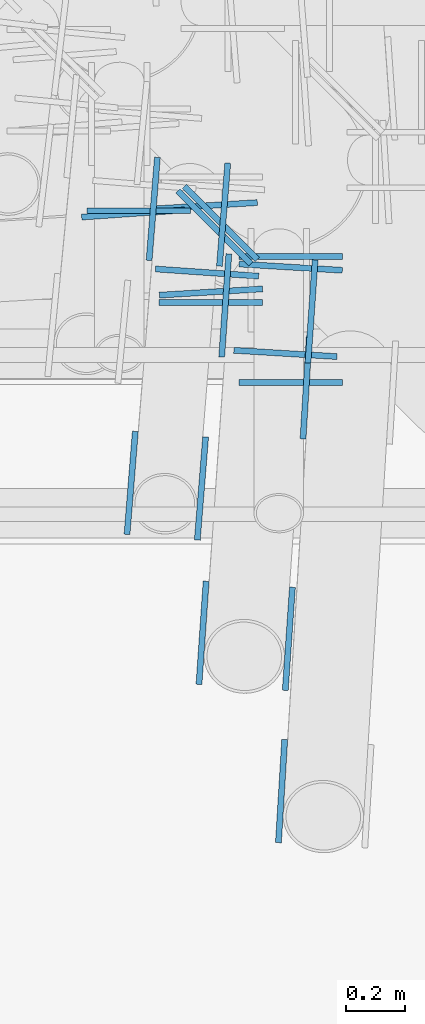
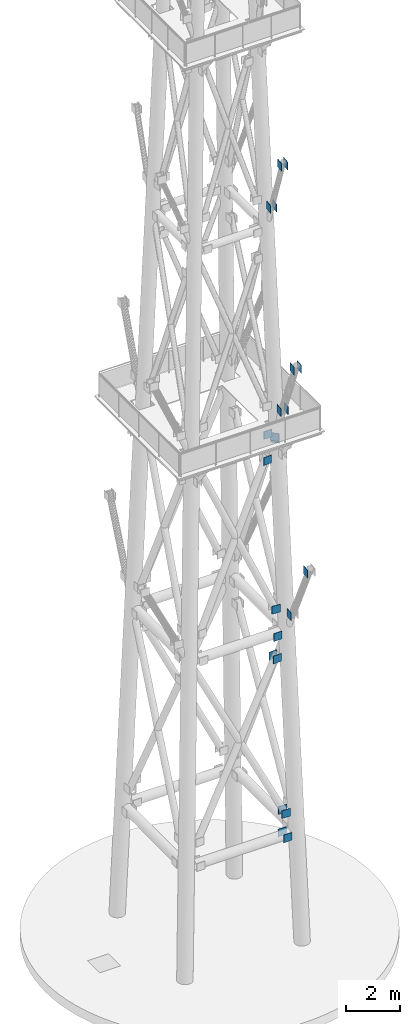
# One storey, part 8 of 25: 22 discrete accessories.
"""IFC4 building model written with IfcOpenShell, lengths in metres."""

from ifc_helpers import new_model, si_unit, direction, frame, origin, origin_2d, place, context, subcontext, project, spatial, rectangle, extrude, element, save


model = new_model("IFC4")

# Units and contexts
model_context = context("Model", 3, precision=1e-05, world=origin(), true_north=direction((0.0, 1.0)))
body_context = subcontext(model_context, "Body", "Model", "MODEL_VIEW")
ifc_project = project(units=[si_unit("LENGTHUNIT", "METRE"), si_unit("AREAUNIT", "SQUARE_METRE"), si_unit("VOLUMEUNIT", "CUBIC_METRE"), si_unit("PLANEANGLEUNIT", "RADIAN"), si_unit("MASSUNIT", "GRAM", prefix="KILO")], contexts=[model_context])

# Site, building, storey
site_placement = place(None, origin())
site = spatial("IfcSite", under=ifc_project, at=site_placement, CompositionType="ELEMENT")
building_placement = place(site_placement, origin())
building = spatial("IfcBuilding", under=site, at=building_placement, Name="Vidyagriha Tower", CompositionType="ELEMENT")
storey_placement = place(building_placement, frame((0.0, 0.0, 318.39990234375)))
storey = spatial("IfcBuildingStorey", under=building, at=storey_placement, Name="RF", CompositionType="ELEMENT", Elevation=318.39990234375)

# Discrete accessories
for number, where, z_axis, x_axis, name in (
    (1, (1.592529296875, 10.9619140625, 22.650146484375), (0.0, 0.0, 1.0), (-0.707106781187, 0.707106781187, 0.0), "End plate ASTM A572 Grade 50 20mm"),
    (2, (1.613525390625, 10.97705078125, 22.5498046875), (0.0, 0.0, 1.0), (-0.707106781187, 0.707106781187, 0.0), "End plate ASTM A572 Grade 50 20mm"),
):
    element("IfcDiscreteAccessory", number, at=place(storey_placement, frame(where, z_axis=z_axis, x_axis=x_axis)), inside=storey, Name=name, ObjectType="END PLATE", PredefinedType="USERDEFINED", context=body_context, shape_type="SweptSolid", body=[
        extrude(rectangle(XDim=0.35009765625, YDim=0.02001953125, at=origin_2d()), origin(), (0.0, 0.0, 1.0), 0.35009765625),
    ])
for number, where, name in (
    (3, (1.85009765625, 10.863037109375, 4.824951171875), "End plate ASTM A572 Grade 50 20mm"),
    (4, (1.85009765625, 10.43701171875, 4.824951171875), "End plate ASTM A572 Grade 50 20mm"),
    (5, (1.580078125, 10.70703125, 13.824951171875), "End plate ASTM A572 Grade 50 20mm"),
    (6, (1.335693359375, 11.01806640625, 22.824951171875), "End plate ASTM A572 Grade 50 20mm"),
):
    element("IfcDiscreteAccessory", number, at=place(storey_placement, frame(where)), inside=storey, Name=name, ObjectType="END PLATE", PredefinedType="USERDEFINED", context=body_context, shape_type="SweptSolid", body=[
        extrude(rectangle(XDim=0.35009765625, YDim=0.02001953125, at=origin_2d()), origin(), (0.0, 0.0, 1.0), 0.35009765625),
    ])
for number, where, z_axis, x_axis, name in (
    (7, (1.562744140625, 11.03515625, 12.792236328125), (0.0, 0.0, 1.0), (0.998148730357, 0.060820326265, 0.0), "End plate ASTM A572 Grade 50 20mm"),
    (8, (1.58056640625, 10.742919921875, 12.792236328125), (0.0, 0.0, 1.0), (0.998148730357, 0.060820326265, 0.0), "End plate ASTM A572 Grade 50 20mm"),
    (9, (1.8505859375, 10.8271484375, 5.85791015625), (0.0, 0.0, 1.0), (0.998148518048, -0.060823810461, 0.0), "End plate ASTM A572 Grade 50 20mm"),
    (10, (1.832763671875, 10.534912109375, 5.85791015625), (0.0, 0.0, 1.0), (0.998148518048, -0.060823810461, 0.0), "End plate ASTM A572 Grade 50 20mm"),
    (11, (1.90283203125, 10.42041015625, 14.85791015625), (0.0, 0.0, 1.0), (0.060794194772, 0.998150322287, 0.0), "End plate ASTM A572 Grade 50 20mm"),
    (12, (1.819580078125, 9.052978515625, 17.6357421875), (0.0, 0.0, 1.0), (-0.060794194772, -0.998150322287, 0.0), "End plate ASTM A572 Grade 50 20mm"),
    (13, (1.3173828125, 11.0087890625, 21.662109375), (0.0, 0.0, 1.0), (0.997601404512, 0.069220211754, 0.0), "End plate ASTM A572 Grade 50 20mm"),
    (14, (1.5673828125, 10.808837890625, 14.988037109375), (0.0, 0.0, 1.0), (0.997599712846, -0.069244587734, 0.0), "End plate ASTM A572 Grade 50 20mm"),
    (15, (1.62890625, 10.697509765625, 23.988037109375), (0.0, 0.0, 1.0), (0.069251552292, 0.997599229403, 0.0), "End plate ASTM A572 Grade 50 20mm"),
    (16, (1.921142578125, 10.67724609375, 23.988037109375), (0.0, 0.0, 1.0), (0.069251552292, 0.997599229403, 0.0), "End plate ASTM A572 Grade 50 20mm"),
    (17, (1.84423828125, 9.568603515625, 26.552978515625), (0.0, 0.0, 1.0), (-0.069251552292, -0.997599229403, 0.0), "End plate ASTM A572 Grade 50 20mm"),
    (18, (1.552001953125, 9.5888671875, 26.552978515625), (0.0, 0.0, 1.0), (-0.069251552292, -0.997599229403, 0.0), "End plate ASTM A572 Grade 50 20mm"),
    (19, (1.385009765625, 11.0244140625, 33.021240234375), (0.0, 0.0, 1.0), (0.080348538256, 0.996766829504, 0.0), "End plate ASTM A572 Grade 50 20mm"),
    (20, (1.623291015625, 11.005126953125, 33.021240234375), (0.0, 0.0, 1.0), (0.080348538256, 0.996766829504, 0.0), "End plate ASTM A572 Grade 50 20mm"),
    (21, (1.54833984375, 10.07763671875, 35.51318359375), (0.0, 0.0, 1.0), (-0.080348538256, -0.996766829504, 0.0), "End plate ASTM A572 Grade 50 20mm"),
    (22, (1.310302734375, 10.0966796875, 35.51318359375), (0.0, 0.0, 1.0), (-0.080348538256, -0.996766829504, 0.0), "End plate ASTM A572 Grade 50 20mm"),
):
    element("IfcDiscreteAccessory", number, at=place(storey_placement, frame(where, z_axis=z_axis, x_axis=x_axis)), inside=storey, Name=name, ObjectType="END PLATE", PredefinedType="USERDEFINED", context=body_context, shape_type="SweptSolid", body=[
        extrude(rectangle(XDim=0.35009765625, YDim=0.02001953125, at=origin_2d()), origin(), (0.0, 0.0, 1.0), 0.35009765625),
    ])

save(model, "model.ifc")
